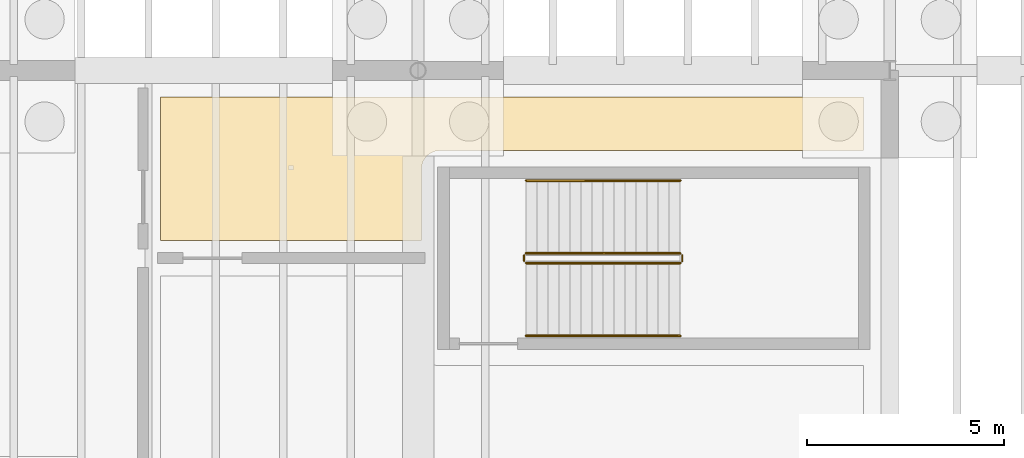
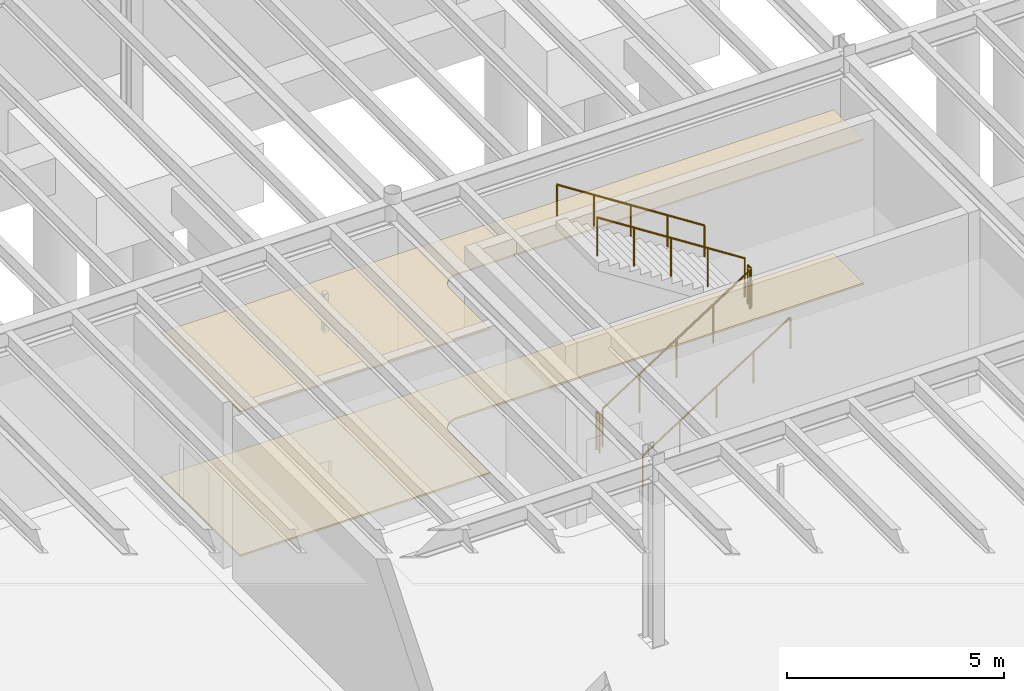
# One storey, part 56 of 67: 6 railings, 2 coverings.
"""IFC4 building model written with IfcOpenShell, lengths in metres."""

from ifc_helpers import new_model, si_unit, direction, frame, origin, origin_2d, place, context, subcontext, project, spatial, polyline, circle, outline, extrude, material, layer, layer_set, type_object, element, save


model = new_model("IFC4")

# Units and contexts
model_context = context("Model", 3, precision=1e-05, world=origin(), true_north=direction((0.0, 1.0)))
body_context = subcontext(model_context, "Body", "Model", "MODEL_VIEW")
ifc_project = project(units=[si_unit("LENGTHUNIT", "METRE"), si_unit("AREAUNIT", "SQUARE_METRE"), si_unit("VOLUMEUNIT", "CUBIC_METRE"), si_unit("PLANEANGLEUNIT", "RADIAN"), si_unit("MASSUNIT", "GRAM", prefix="KILO")], contexts=[model_context])

# Site, building, storey
site_placement = place(None, origin())
site = spatial("IfcSite", under=ifc_project, at=site_placement, CompositionType="ELEMENT")
building_placement = place(site_placement, origin())
building = spatial("IfcBuilding", under=site, at=building_placement, Name="Zlatogorsky Bluff Art Gallery", CompositionType="ELEMENT")
storey_placement = place(building_placement, frame((0.0, 0.0, -5.39990234375)))
storey = spatial("IfcBuildingStorey", under=building, at=storey_placement, Name="B1", CompositionType="ELEMENT", Elevation=-5.39990234375)

# Covering
ifc_material_1 = material(Name="Perforated Gypsum Acoustic Board", Category="gypsum")
ifc_layer_1 = layer(ifc_material_1, 0.0400390625)
ifc_layer_set_1 = layer_set([ifc_layer_1], Name="Acoustic Gallery Ceiling CLG-01")
covering_type_1 = type_object("IfcCoveringType", Name="Acoustic Gallery Ceiling CLG-01", PredefinedType="CEILING", material=ifc_layer_set_1)
covering_1_placement = place(storey_placement, frame((0.0, 0.0, 4.0498046875)))
element("IfcCovering", 1, at=covering_1_placement, inside=storey, type_object=covering_type_1, Name="Climate-Controlled Art Stores acoustic ceiling", PredefinedType="CEILING", context=body_context, shape_type="SweptSolid", body=[
    extrude(outline(polyline([(36.549072265625, 105.9599609375), (36.504638671875, 105.957763671875), (36.460693359375, 105.951416015625), (36.459716796875, 105.951171875), (36.450439453125, 105.94921875), (36.449462890625, 105.948974609375), (36.40625, 105.93701171875), (36.3642578125, 105.9208984375), (36.36328125, 105.92041015625), (36.362548828125, 105.919921875), (36.326904296875, 105.902099609375), (36.325927734375, 105.901611328125), (36.293701171875, 105.882080078125), (36.26318359375, 105.859619140625), (36.26171875, 105.8583984375), (36.224609375, 105.8251953125), (36.19140625, 105.7880859375), (36.190185546875, 105.78662109375), (36.16796875, 105.75634765625), (36.148193359375, 105.72412109375), (36.147705078125, 105.72314453125), (36.1298828125, 105.6875), (36.129638671875, 105.6865234375), (36.129150390625, 105.685791015625), (36.113037109375, 105.643798828125), (36.10107421875, 105.6005859375), (36.100830078125, 105.599609375), (36.098876953125, 105.59033203125), (36.0986328125, 105.58935546875), (36.09228515625, 105.54541015625), (36.090087890625, 105.5009765625), (36.090087890625, 103.675048828125), (29.449951171875, 103.675048828125), (29.449951171875, 107.330078125), (47.330078125, 107.330078125), (47.330078125, 105.9599609375), (36.549072265625, 105.9599609375)])), origin(), (0.0, 0.0, 1.0), 0.0400390625),
])

# Railings
ifc_material_2 = material(Name="Architectural Bronze and Laminated Glass", Category="glass")
railing_type_1 = type_object("IfcRailingType", Name="Gallery Guard Rail 1100mm", PredefinedType="GUARDRAIL", material=ifc_material_2)
railing_1_placement = place(storey_placement, frame((38.75, 103.10009765625, 0.179931640625)))
element("IfcRailing", 2, at=railing_1_placement, inside=storey, type_object=railing_type_1, Name="B1 ST-07 stair guard 1", PredefinedType="GUARDRAIL", context=body_context, shape_type="SweptSolid", body=[
    extrude(circle(Radius=0.02392578125, at=origin_2d()), frame((0.0, 0.0, 1.076171875), z_axis=(0.841171666519, 0.0, 0.540768182723), x_axis=(0.0, 1.0, 0.0)), (0.0, 0.0, 1.0), 4.66015625),
    extrude(circle(Radius=0.02099609375, at=origin_2d()), origin(), (0.0, 0.0, 1.0), 1.052001953125),
    extrude(circle(Radius=0.02099609375, at=origin_2d()), frame((0.97998046875, 0.0, 0.6298828125)), (0.0, 0.0, 1.0), 1.052001953125),
    extrude(circle(Radius=0.02099609375, at=origin_2d()), frame((1.9599609375, 0.0, 1.260009765625)), (0.0, 0.0, 1.0), 1.052001953125),
    extrude(circle(Radius=0.02099609375, at=origin_2d()), frame((2.93994140625, 0.0, 1.89013671875)), (0.0, 0.0, 1.0), 1.052001953125),
    extrude(circle(Radius=0.02099609375, at=origin_2d()), frame((3.919921875, 0.0, 2.52001953125)), (0.0, 0.0, 1.0), 1.052001953125),
])
railing_2_placement = place(storey_placement, frame((42.719970703125, 103.14990234375, 2.699951171875)))
element("IfcRailing", 3, at=railing_2_placement, inside=storey, type_object=railing_type_1, Name="B1 ST-07 stair guard 2", PredefinedType="GUARDRAIL", context=body_context, shape_type="SweptSolid", body=[
    extrude(circle(Radius=0.02392578125, at=origin_2d()), frame((0.0, 0.0, 1.076171875), z_axis=(0.0, 1.0, 0.0), x_axis=(-1.0, 0.0, 0.0)), (0.0, 0.0, 1.0), 0.150146484375),
    extrude(circle(Radius=0.02099609375, at=origin_2d()), origin(), (0.0, 0.0, 1.0), 1.052001953125),
    extrude(circle(Radius=0.02099609375, at=origin_2d()), frame((0.0, 0.150146484375, 0.0)), (0.0, 0.0, 1.0), 1.052001953125),
])
railing_3_placement = place(storey_placement, frame((42.669921875, 103.35009765625, 2.8798828125)))
element("IfcRailing", 4, at=railing_3_placement, inside=storey, type_object=railing_type_1, Name="B1 ST-07 stair guard 3", PredefinedType="GUARDRAIL", context=body_context, shape_type="SweptSolid", body=[
    extrude(circle(Radius=0.02392578125, at=origin_2d()), frame((0.0, 0.0, 1.076171875), z_axis=(-0.841171666519, 0.0, 0.540768182723), x_axis=(0.0, -1.0, 0.0)), (0.0, 0.0, 1.0), 4.66015625),
    extrude(circle(Radius=0.02099609375, at=origin_2d()), origin(), (0.0, 0.0, 1.0), 1.052001953125),
    extrude(circle(Radius=0.02099609375, at=origin_2d()), frame((-0.97998046875, 0.0, 0.6298828125)), (0.0, 0.0, 1.0), 1.052001953125),
    extrude(circle(Radius=0.02099609375, at=origin_2d()), frame((-1.9599609375, 0.0, 1.260009765625)), (0.0, 0.0, 1.0), 1.052001953125),
    extrude(circle(Radius=0.02099609375, at=origin_2d()), frame((-2.93994140625, 0.0, 1.89013671875)), (0.0, 0.0, 1.0), 1.052001953125),
    extrude(circle(Radius=0.02099609375, at=origin_2d()), frame((-3.919921875, 0.0, 2.52001953125)), (0.0, 0.0, 1.0), 1.052001953125),
])
railing_4_placement = place(storey_placement, frame((38.699951171875, 103.14990234375, 0.0)))
element("IfcRailing", 5, at=railing_4_placement, inside=storey, type_object=railing_type_1, Name="B1 ST-07 stair guard 4", PredefinedType="GUARDRAIL", context=body_context, shape_type="SweptSolid", body=[
    extrude(circle(Radius=0.02392578125, at=origin_2d()), frame((0.0, 0.0, 1.076171875), z_axis=(0.0, 1.0, 0.0), x_axis=(-1.0, 0.0, 0.0)), (0.0, 0.0, 1.0), 0.150146484375),
    extrude(circle(Radius=0.02099609375, at=origin_2d()), origin(), (0.0, 0.0, 1.0), 1.052001953125),
    extrude(circle(Radius=0.02099609375, at=origin_2d()), frame((0.0, 0.150146484375, 0.0)), (0.0, 0.0, 1.0), 1.052001953125),
])
ifc_material_3 = material(Name="Brushed Stainless Steel", Category="steel")
railing_type_2 = type_object("IfcRailingType", Name="Stair Pitch Handrail 900mm", PredefinedType="HANDRAIL", material=ifc_material_3)
railing_5_placement = place(storey_placement, frame((38.75, 101.25, 0.179931640625)))
element("IfcRailing", 6, at=railing_5_placement, inside=storey, type_object=railing_type_2, Name="B1 ST-07 stair handrail 1", PredefinedType="HANDRAIL", context=body_context, shape_type="SweptSolid", body=[
    extrude(circle(Radius=0.02392578125, at=origin_2d()), frame((0.0, 0.0, 0.8759765625), z_axis=(0.841171666519, 0.0, 0.540768182723), x_axis=(0.0, 1.0, 0.0)), (0.0, 0.0, 1.0), 4.66015625),
    extrude(circle(Radius=0.02099609375, at=origin_2d()), origin(), (0.0, 0.0, 1.0), 0.851806640625),
    extrude(circle(Radius=0.02099609375, at=origin_2d()), frame((0.97998046875, 0.0, 0.6298828125)), (0.0, 0.0, 1.0), 0.851806640625),
    extrude(circle(Radius=0.02099609375, at=origin_2d()), frame((1.9599609375, 0.0, 1.260009765625)), (0.0, 0.0, 1.0), 0.851806640625),
    extrude(circle(Radius=0.02099609375, at=origin_2d()), frame((2.93994140625, 0.0, 1.89013671875)), (0.0, 0.0, 1.0), 0.851806640625),
    extrude(circle(Radius=0.02099609375, at=origin_2d()), frame((3.919921875, 0.0, 2.52001953125)), (0.0, 0.0, 1.0), 0.851806640625),
])
railing_6_placement = place(storey_placement, frame((42.669921875, 105.199951171875, 2.8798828125)))
element("IfcRailing", 7, at=railing_6_placement, inside=storey, type_object=railing_type_2, Name="B1 ST-07 stair handrail 2", PredefinedType="HANDRAIL", context=body_context, shape_type="SweptSolid", body=[
    extrude(circle(Radius=0.02392578125, at=origin_2d()), frame((0.0, 0.0, 0.8759765625), z_axis=(-0.841171666519, 0.0, 0.540768182723), x_axis=(0.0, -1.0, 0.0)), (0.0, 0.0, 1.0), 4.66015625),
    extrude(circle(Radius=0.02099609375, at=origin_2d()), origin(), (0.0, 0.0, 1.0), 0.851806640625),
    extrude(circle(Radius=0.02099609375, at=origin_2d()), frame((-0.97998046875, 0.0, 0.6298828125)), (0.0, 0.0, 1.0), 0.851806640625),
    extrude(circle(Radius=0.02099609375, at=origin_2d()), frame((-1.9599609375, 0.0, 1.260009765625)), (0.0, 0.0, 1.0), 0.851806640625),
    extrude(circle(Radius=0.02099609375, at=origin_2d()), frame((-2.93994140625, 0.0, 1.89013671875)), (0.0, 0.0, 1.0), 0.851806640625),
    extrude(circle(Radius=0.02099609375, at=origin_2d()), frame((-3.919921875, 0.0, 2.52001953125)), (0.0, 0.0, 1.0), 0.851806640625),
])

# Covering
ifc_material_4 = material(Name="Polished Ural Marble Terrazzo", Category="masonry")
ifc_layer_2 = layer(ifc_material_4, 0.050048828125)
ifc_layer_set_2 = layer_set([ifc_layer_2], Name="Terrazzo Gallery Flooring FLR-01")
covering_type_2 = type_object("IfcCoveringType", Name="Terrazzo Gallery Flooring FLR-01", PredefinedType="FLOORING", material=ifc_layer_set_2)
covering_2_placement = place(storey_placement, origin())
element("IfcCovering", 8, at=covering_2_placement, inside=storey, type_object=covering_type_2, Name="Climate-Controlled Art Stores terrazzo floor finish", PredefinedType="FLOORING", context=body_context, shape_type="SweptSolid", body=[
    extrude(outline(polyline([(36.549072265625, 105.9599609375), (36.504638671875, 105.957763671875), (36.460693359375, 105.951416015625), (36.459716796875, 105.951171875), (36.450439453125, 105.94921875), (36.449462890625, 105.948974609375), (36.40625, 105.93701171875), (36.3642578125, 105.9208984375), (36.36328125, 105.92041015625), (36.362548828125, 105.919921875), (36.326904296875, 105.902099609375), (36.325927734375, 105.901611328125), (36.293701171875, 105.882080078125), (36.26318359375, 105.859619140625), (36.26171875, 105.8583984375), (36.224609375, 105.8251953125), (36.19140625, 105.7880859375), (36.190185546875, 105.78662109375), (36.16796875, 105.75634765625), (36.148193359375, 105.72412109375), (36.147705078125, 105.72314453125), (36.1298828125, 105.6875), (36.129638671875, 105.6865234375), (36.129150390625, 105.685791015625), (36.113037109375, 105.643798828125), (36.10107421875, 105.6005859375), (36.100830078125, 105.599609375), (36.098876953125, 105.59033203125), (36.0986328125, 105.58935546875), (36.09228515625, 105.54541015625), (36.090087890625, 105.5009765625), (36.090087890625, 103.675048828125), (29.449951171875, 103.675048828125), (29.449951171875, 107.330078125), (47.330078125, 107.330078125), (47.330078125, 105.9599609375), (36.549072265625, 105.9599609375)])), origin(), (0.0, 0.0, 1.0), 0.0498046875),
])

save(model, "model.ifc")
